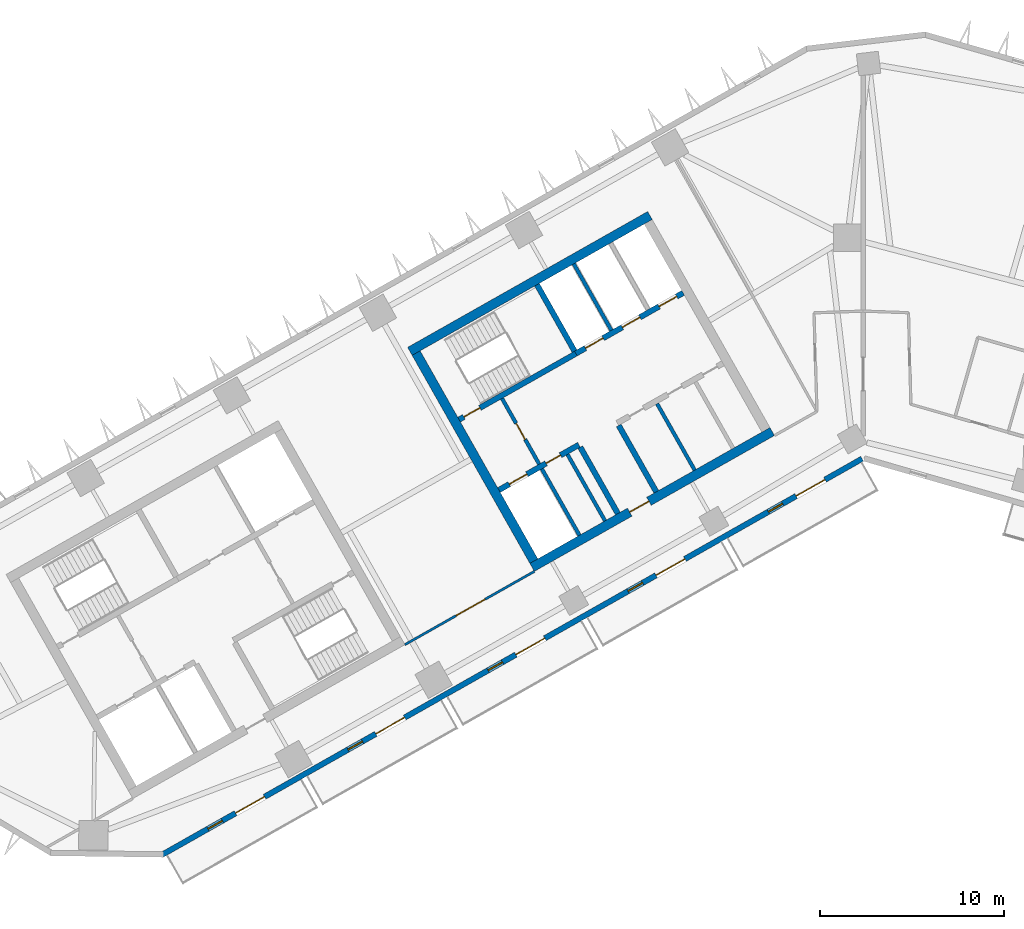
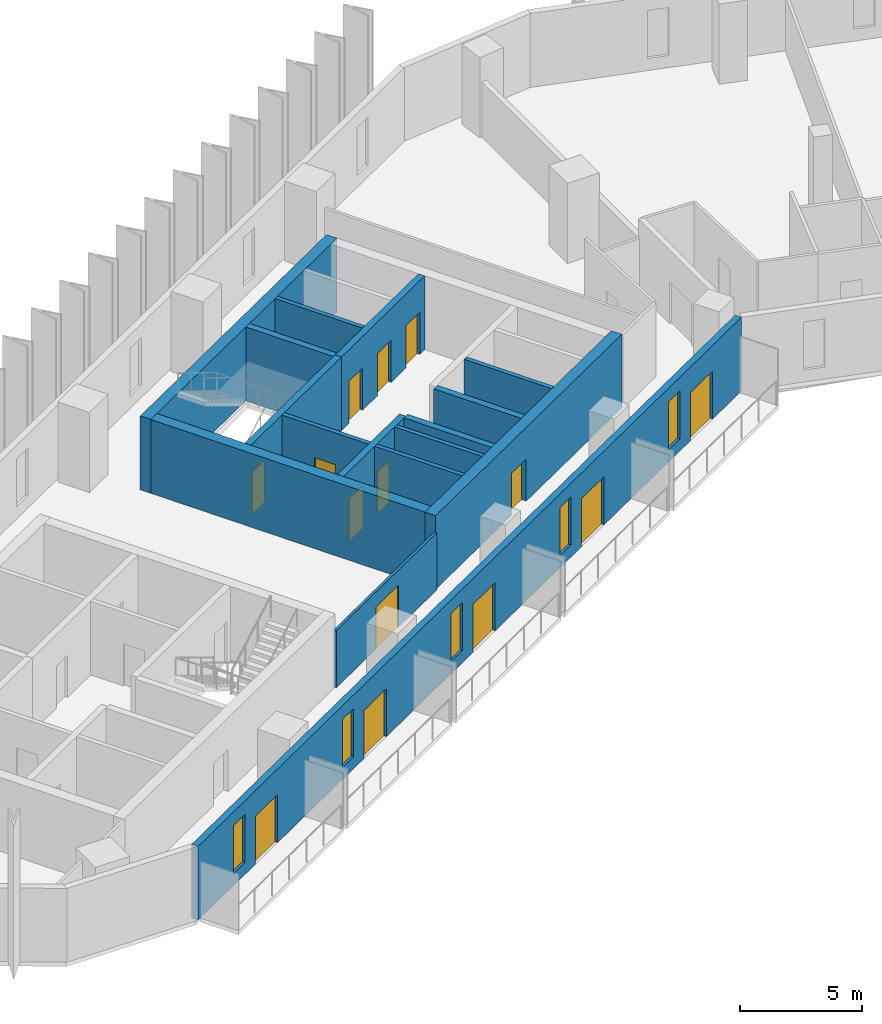
# One storey, part 4 of 10: 16 walls, 14 doors, 5 windows, 19 openings.
"""IFC4 building model written with IfcOpenShell, lengths in metres."""

from ifc_helpers import new_model, si_unit, direction, frame, frame_2d, origin, place, context, subcontext, project, spatial, rectangle, extrude, material, layer, layer_set, type_object, element, fill, save


model = new_model("IFC4")

# Units and contexts
model_context = context("Model", 3, precision=1e-05, world=origin(), true_north=direction((0.0, 1.0)))
body_context = subcontext(model_context, "Body", "Model", "MODEL_VIEW")
ifc_project = project(units=[si_unit("LENGTHUNIT", "METRE"), si_unit("AREAUNIT", "SQUARE_METRE"), si_unit("VOLUMEUNIT", "CUBIC_METRE"), si_unit("PLANEANGLEUNIT", "RADIAN"), si_unit("MASSUNIT", "GRAM", prefix="KILO")], contexts=[model_context])

# Site, building, storey
site_placement = place(None, origin())
site = spatial("IfcSite", under=ifc_project, at=site_placement, CompositionType="ELEMENT")
building_placement = place(site_placement, origin())
building = spatial("IfcBuilding", under=site, at=building_placement, Name="Binnacle Exchange Tower", CompositionType="ELEMENT")
storey_placement = place(building_placement, frame((0.0, 0.0, 194.89990234375)))
storey = spatial("IfcBuildingStorey", under=building, at=storey_placement, Name="L42", CompositionType="ELEMENT", Elevation=194.89990234375)

# Wall
ifc_material_1 = material(Name="Gypsum partition fire rated")
ifc_layer_1 = layer(ifc_material_1, 0.199951171875)
ifc_layer_set_1 = layer_set([ifc_layer_1], Name="Core partition 200")
wall_type_1 = type_object("IfcWallType", Name="Core partition 200", PredefinedType="PARTITIONING", material=ifc_layer_set_1)
wall_1_placement = place(storey_placement, frame((-11.201904296875, 50.96240234375, 0.0), z_axis=(0.0, 0.0, 1.0), x_axis=(0.492441017253, -0.870345818929, 0.0)))
element("IfcWall", 1, at=wall_1_placement, inside=storey, type_object=wall_type_1, Name="Core wall CRWC19", PredefinedType="PARTITIONING", context=body_context, shape_type="SweptSolid", body=[
    extrude(rectangle(XDim=4.150146484375, YDim=0.199951171875, at=frame_2d((2.0751953125, 0.0))), origin(), (0.0, 0.0, 1.0), 3.68017578125),
])

# Wall, openings, doors
ifc_material_2 = material(Name="Concrete C70/85", Category="concrete")
ifc_layer_2 = layer(ifc_material_2, 0.300048828125)
ifc_layer_set_2 = layer_set([ifc_layer_2], Name="Core wall - front 300")
wall_type_2 = type_object("IfcWallType", Name="Core wall - front 300", PredefinedType="SOLIDWALL", material=ifc_layer_set_2)
wall_2_placement = place(storey_placement, frame((-19.80517578125, 46.26708984375, 0.0), z_axis=(0.0, 0.0, 1.0), x_axis=(0.870353598469, 0.492427267353, 0.0)))
wall_2 = element("IfcWall", 2, at=wall_2_placement, inside=storey, type_object=wall_type_2, Name="Core wall CRWC2", PredefinedType="SOLIDWALL", context=body_context, shape_type="SweptSolid", body=[
    extrude(rectangle(XDim=5.0, YDim=0.300048828125, at=frame_2d((2.5, 0.0))), origin(), (0.0, 0.0, 1.0), 3.68017578125),
])
opening_1_placement = place(wall_2_placement, frame((0.64990234375, 0.0, 0.0)))
opening_1 = element("IfcOpeningElement", 3, at=opening_1_placement, cuts=wall_2, Name="Opening LD14", PredefinedType="OPENING", context=body_context, shape_type="SweptSolid", body=[
    extrude(rectangle(XDim=1.10009765625, YDim=2.10009765625, at=frame_2d((0.550048828125, 1.050048828125))), frame((0.0, 0.159912109375, 0.0), z_axis=(0.0, -1.0, 0.0), x_axis=(1.0, 0.0, 0.0)), (0.0, 0.0, 1.0), 0.320068359375),
])
opening_2_placement = place(wall_2_placement, frame((2.949951171875, 0.0, 0.0)))
opening_2 = element("IfcOpeningElement", 4, at=opening_2_placement, cuts=wall_2, Name="Opening DC14", PredefinedType="OPENING", context=body_context, shape_type="SweptSolid", body=[
    extrude(rectangle(XDim=0.89990234375, YDim=2.10009765625, at=frame_2d((0.449951171875, 1.050048828125))), frame((0.0, 0.159912109375, 0.0), z_axis=(0.0, -1.0, 0.0), x_axis=(1.0, 0.0, 0.0)), (0.0, 0.0, 1.0), 0.320068359375),
])
ifc_material_3 = material(Name="Steel door leaf", Category="steel")
door_type_1 = type_object("IfcDoorType", Name="Fire door - lift landing 1100", OperationType="NOTDEFINED", PredefinedType="DOOR", material=ifc_material_3)
door_1_placement = place(opening_1_placement, origin())
door_1 = element("IfcDoor", 5, at=door_1_placement, inside=storey, type_object=door_type_1, Name="Landing door LD14 L42", OperationType="DOUBLE_DOOR_SLIDING", OverallHeight=2.10009765625, OverallWidth=1.10009765625, PredefinedType="DOOR", context=body_context, shape_type="SweptSolid", body=[
    extrude(rectangle(XDim=1.10009765625, YDim=2.10009765625, at=frame_2d((0.550048828125, 1.050048828125))), frame((0.0, 0.02490234375, 0.0), z_axis=(0.0, -1.0, 0.0), x_axis=(1.0, 0.0, 0.0)), (0.0, 0.0, 1.0), 0.050048828125),
])
fill(opening_1, door_1)
door_type_2 = type_object("IfcDoorType", Name="Fire door 900", OperationType="NOTDEFINED", PredefinedType="DOOR", material=ifc_material_3)
door_2_placement = place(opening_2_placement, frame((0.89990234375, 0.0, 0.0), z_axis=(0.0, 0.0, 1.0), x_axis=(-1.0, 0.0, 0.0)))
door_2 = element("IfcDoor", 6, at=door_2_placement, inside=storey, type_object=door_type_2, Name="Core room door UPS CUPBOARD", OperationType="SINGLE_SWING_LEFT", OverallHeight=2.10009765625, OverallWidth=0.89990234375, PredefinedType="DOOR", context=body_context, shape_type="SweptSolid", body=[
    extrude(rectangle(XDim=0.89990234375, YDim=2.10009765625, at=frame_2d((0.449951171875, 1.050048828125))), frame((0.0, 0.02490234375, 0.0), z_axis=(0.0, -1.0, 0.0), x_axis=(1.0, 0.0, 0.0)), (0.0, 0.0, 1.0), 0.050048828125),
])
fill(opening_2, door_2)

wall_3_placement = place(storey_placement, frame((-15.6181640625, 53.69140625, 0.0), z_axis=(0.0, 0.0, 1.0), x_axis=(0.870363236066, 0.492410232738, 0.0)))
wall_3 = element("IfcWall", 7, at=wall_3_placement, inside=storey, type_object=wall_type_2, Name="Core wall CRWC5", PredefinedType="SOLIDWALL", context=body_context, shape_type="SweptSolid", body=[
    extrude(rectangle(XDim=6.699951171875, YDim=0.300048828125, at=frame_2d((3.35009765625, 0.0))), origin(), (0.0, 0.0, 1.0), 3.68017578125),
])
opening_3_placement = place(wall_3_placement, frame((0.60009765625, 0.0, 0.0)))
opening_3 = element("IfcOpeningElement", 8, at=opening_3_placement, cuts=wall_3, Name="Opening LD5", PredefinedType="OPENING", context=body_context, shape_type="SweptSolid", body=[
    extrude(rectangle(XDim=1.10009765625, YDim=2.10009765625, at=frame_2d((0.550048828125, 1.050048828125))), frame((0.0, 0.159912109375, 0.0), z_axis=(0.0, -1.0, 0.0), x_axis=(1.0, 0.0, 0.0)), (0.0, 0.0, 1.0), 0.320068359375),
])
opening_4_placement = place(wall_3_placement, frame((2.89990234375, 0.0, 0.0)))
opening_4 = element("IfcOpeningElement", 9, at=opening_4_placement, cuts=wall_3, Name="Opening LD6", PredefinedType="OPENING", context=body_context, shape_type="SweptSolid", body=[
    extrude(rectangle(XDim=1.10009765625, YDim=2.10009765625, at=frame_2d((0.550048828125, 1.050048828125))), frame((0.0, 0.159912109375, 0.0), z_axis=(0.0, -1.0, 0.0), x_axis=(1.0, 0.0, 0.0)), (0.0, 0.0, 1.0), 0.320068359375),
])
opening_5_placement = place(wall_3_placement, frame((5.199951171875, 0.0, 0.0)))
opening_5 = element("IfcOpeningElement", 10, at=opening_5_placement, cuts=wall_3, Name="Opening LD7", PredefinedType="OPENING", context=body_context, shape_type="SweptSolid", body=[
    extrude(rectangle(XDim=1.10009765625, YDim=2.10009765625, at=frame_2d((0.550048828125, 1.050048828125))), frame((0.0, 0.159912109375, 0.0), z_axis=(0.0, -1.0, 0.0), x_axis=(1.0, 0.0, 0.0)), (0.0, 0.0, 1.0), 0.320068359375),
])
door_3_placement = place(opening_3_placement, origin())
door_3 = element("IfcDoor", 11, at=door_3_placement, inside=storey, type_object=door_type_1, Name="Landing door LD5 L42", OperationType="DOUBLE_DOOR_SLIDING", OverallHeight=2.10009765625, OverallWidth=1.10009765625, PredefinedType="DOOR", context=body_context, shape_type="SweptSolid", body=[
    extrude(rectangle(XDim=1.10009765625, YDim=2.10009765625, at=frame_2d((0.550048828125, 1.050048828125))), frame((0.0, 0.02490234375, 0.0), z_axis=(0.0, -1.0, 0.0), x_axis=(1.0, 0.0, 0.0)), (0.0, 0.0, 1.0), 0.050048828125),
])
fill(opening_3, door_3)
door_4_placement = place(opening_4_placement, origin())
door_4 = element("IfcDoor", 12, at=door_4_placement, inside=storey, type_object=door_type_1, Name="Landing door LD6 L42", OperationType="DOUBLE_DOOR_SLIDING", OverallHeight=2.10009765625, OverallWidth=1.10009765625, PredefinedType="DOOR", context=body_context, shape_type="SweptSolid", body=[
    extrude(rectangle(XDim=1.10009765625, YDim=2.10009765625, at=frame_2d((0.550048828125, 1.050048828125))), frame((0.0, 0.02490234375, 0.0), z_axis=(0.0, -1.0, 0.0), x_axis=(1.0, 0.0, 0.0)), (0.0, 0.0, 1.0), 0.050048828125),
])
fill(opening_4, door_4)
door_5_placement = place(opening_5_placement, origin())
door_5 = element("IfcDoor", 13, at=door_5_placement, inside=storey, type_object=door_type_1, Name="Landing door LD7 L42", OperationType="DOUBLE_DOOR_SLIDING", OverallHeight=2.10009765625, OverallWidth=1.10009765625, PredefinedType="DOOR", context=body_context, shape_type="SweptSolid", body=[
    extrude(rectangle(XDim=1.10009765625, YDim=2.10009765625, at=frame_2d((0.550048828125, 1.050048828125))), frame((0.0, 0.02490234375, 0.0), z_axis=(0.0, -1.0, 0.0), x_axis=(1.0, 0.0, 0.0)), (0.0, 0.0, 1.0), 0.050048828125),
])
fill(opening_5, door_5)

# Walls
for number, where, z_axis, x_axis, name in (
    (14, (-15.37939453125, 48.5986328125, 0.0), (0.0, 0.0, 1.0), (0.492396453737, -0.870371031427, 0.0), "Core wall CRWC13"),
    (15, (-13.29052734375, 49.780517578125, 0.0), (0.0, 0.0, 1.0), (0.492396453737, -0.870371031427, 0.0), "Core wall CRWC15"),
):
    element("IfcWall", number, at=place(storey_placement, frame(where, z_axis=z_axis, x_axis=x_axis)), inside=storey, type_object=wall_type_2, Name=name, PredefinedType="SOLIDWALL", context=body_context, shape_type="SweptSolid", body=[
        extrude(rectangle(XDim=4.14990234375, YDim=0.300048828125, at=frame_2d((2.074951171875, 0.0))), origin(), (0.0, 0.0, 1.0), 3.68017578125),
    ])

# Wall, opening, door
ifc_layer_3 = layer(ifc_material_2, 0.5)
ifc_layer_set_3 = layer_set([ifc_layer_3], Name="Core wall - outer 500")
wall_type_3 = type_object("IfcWallType", Name="Core wall - outer 500", PredefinedType="SOLIDWALL", material=ifc_layer_set_3)
wall_4_placement = place(storey_placement, frame((-17.999755859375, 42.060791015625, 0.0), z_axis=(0.0, 0.0, 1.0), x_axis=(0.870356627484, 0.492421913601, 0.0)))
wall_4 = element("IfcWall", 16, at=wall_4_placement, inside=storey, type_object=wall_type_3, Name="Core wall CRWC1", PredefinedType="SOLIDWALL", context=body_context, shape_type="SweptSolid", body=[
    extrude(rectangle(XDim=14.999755859375, YDim=0.5, at=frame_2d((7.5, 0.0))), origin(), (0.0, 0.0, 1.0), 3.68017578125),
])
opening_6_placement = place(wall_4_placement, frame((6.10009765625, 0.0, 0.0)))
opening_6 = element("IfcOpeningElement", 17, at=opening_6_placement, cuts=wall_4, Name="Opening DC7", PredefinedType="OPENING", context=body_context, shape_type="SweptSolid", body=[
    extrude(rectangle(XDim=1.199951171875, YDim=2.10009765625, at=frame_2d((0.60009765625, 1.050048828125))), frame((0.0, 0.260009765625, 0.0), z_axis=(0.0, -1.0, 0.0), x_axis=(1.0, 0.0, 0.0)), (0.0, 0.0, 1.0), 0.52001953125),
])
door_type_3 = type_object("IfcDoorType", Name="Fire door 1200", OperationType="NOTDEFINED", PredefinedType="DOOR", material=ifc_material_3)
door_6_placement = place(opening_6_placement, frame((1.199951171875, 0.0, 0.0), z_axis=(0.0, 0.0, 1.0), x_axis=(-1.0, 0.0, 0.0)))
door_6 = element("IfcDoor", 18, at=door_6_placement, inside=storey, type_object=door_type_3, Name="Lift lobby entrance door core C", OperationType="SINGLE_SWING_RIGHT", OverallHeight=2.10009765625, OverallWidth=1.199951171875, PredefinedType="DOOR", context=body_context, shape_type="SweptSolid", body=[
    extrude(rectangle(XDim=1.199951171875, YDim=2.10009765625, at=frame_2d((0.60009765625, 1.050048828125))), frame((0.0, 0.02490234375, 0.0), z_axis=(0.0, -1.0, 0.0), x_axis=(1.0, 0.0, 0.0)), (0.0, 0.0, 1.0), 0.050048828125),
])
fill(opening_6, door_6)

# Walls
wall_5_placement = place(storey_placement, frame((-24.6474609375, 53.810546875, 0.0), z_axis=(0.0, 0.0, 1.0), x_axis=(0.87034965173, 0.492434243055, 0.0)))
element("IfcWall", 19, at=wall_5_placement, inside=storey, type_object=wall_type_3, Name="Core wall CRWC6", PredefinedType="SOLIDWALL", context=body_context, shape_type="SweptSolid", body=[
    extrude(rectangle(XDim=15.0, YDim=0.5, at=frame_2d((7.5, 0.0))), origin(), (0.0, 0.0, 1.0), 3.68017578125),
])
wall_6_placement = place(storey_placement, frame((-24.306884765625, 53.716064453125, 0.0), z_axis=(0.0, 0.0, 1.0), x_axis=(0.492427267353, -0.870353598469, 0.0)))
element("IfcWall", 20, at=wall_6_placement, inside=storey, type_object=wall_type_3, Name="Core wall CRWC7", PredefinedType="SOLIDWALL", context=body_context, shape_type="SweptSolid", body=[
    extrude(rectangle(XDim=13.0, YDim=0.5, at=frame_2d((6.5, 0.0))), origin(), (0.0, 0.0, 1.0), 3.68017578125),
])

# Wall, opening, door
ifc_layer_4 = layer(ifc_material_2, 0.300048828125)
ifc_layer_set_4 = layer_set([ifc_layer_4], Name="Core wall - stair 300")
wall_type_4 = type_object("IfcWallType", Name="Core wall - stair 300", PredefinedType="SOLIDWALL", material=ifc_layer_set_4)
wall_7_placement = place(storey_placement, frame((-21.9716796875, 50.0966796875, 0.0), z_axis=(0.0, 0.0, 1.0), x_axis=(0.870350976978, 0.492431900747, 0.0)))
wall_7 = element("IfcWall", 21, at=wall_7_placement, inside=storey, type_object=wall_type_4, Name="Core wall CRWC4", PredefinedType="SOLIDWALL", context=body_context, shape_type="SweptSolid", body=[
    extrude(rectangle(XDim=7.300048828125, YDim=0.300048828125, at=frame_2d((3.64990234375, 0.0))), origin(), (0.0, 0.0, 1.0), 3.68017578125),
])
opening_7_placement = place(wall_7_placement, frame((0.300048828125, 0.0, 0.0)))
opening_7 = element("IfcOpeningElement", 22, at=opening_7_placement, cuts=wall_7, Name="Opening DC1", PredefinedType="OPENING", context=body_context, shape_type="SweptSolid", body=[
    extrude(rectangle(XDim=1.0, YDim=2.10009765625, at=frame_2d((0.5, 1.050048828125))), frame((0.0, 0.159912109375, 0.0), z_axis=(0.0, -1.0, 0.0), x_axis=(1.0, 0.0, 0.0)), (0.0, 0.0, 1.0), 0.320068359375),
])
door_type_4 = type_object("IfcDoorType", Name="Fire door 1000", OperationType="NOTDEFINED", PredefinedType="DOOR", material=ifc_material_3)
door_7_placement = place(opening_7_placement, origin())
door_7 = element("IfcDoor", 23, at=door_7_placement, inside=storey, type_object=door_type_4, Name="Stair door ST-C1", OperationType="SINGLE_SWING_LEFT", OverallHeight=2.10009765625, OverallWidth=1.0, PredefinedType="DOOR", context=body_context, shape_type="SweptSolid", body=[
    extrude(rectangle(XDim=1.0, YDim=2.10009765625, at=frame_2d((0.5, 1.050048828125))), frame((0.0, 0.02490234375, 0.0), z_axis=(0.0, -1.0, 0.0), x_axis=(1.0, 0.0, 0.0)), (0.0, 0.0, 1.0), 0.050048828125),
])
fill(opening_7, door_7)

# Wall
wall_8_placement = place(storey_placement, frame((-17.735595703125, 57.433837890625, 0.0), z_axis=(0.0, 0.0, 1.0), x_axis=(0.492421666909, -0.870356767055, 0.0)))
element("IfcWall", 24, at=wall_8_placement, inside=storey, type_object=wall_type_4, Name="Core wall CRWC14", PredefinedType="SOLIDWALL", context=body_context, shape_type="SweptSolid", body=[
    extrude(rectangle(XDim=4.14990234375, YDim=0.300048828125, at=frame_2d((2.074951171875, 0.0))), origin(), (0.0, 0.0, 1.0), 3.68017578125),
])

# Wall, openings, doors, windows
ifc_material_4 = material(Name="Bronze aluminium cladding", Category="aluminium")
ifc_layer_5 = layer(ifc_material_4, 0.300048828125)
ifc_layer_set_5 = layer_set([ifc_layer_5], Name="External wall - spandrel 300")
wall_type_5 = type_object("IfcWallType", Name="External wall - spandrel 300", PredefinedType="STANDARD", material=ifc_layer_set_5)
wall_9_placement = place(storey_placement, frame((-0.0546875, 47.968994140625, 0.0), z_axis=(0.0, 0.0, 1.0), x_axis=(-0.870355730478, -0.492423499058, 0.0)))
wall_9 = element("IfcWall", 25, at=wall_9_placement, inside=storey, type_object=wall_type_5, Name="External wall EW-G01 L42", PredefinedType="STANDARD", context=body_context, shape_type="SweptSolid", body=[
    extrude(rectangle(XDim=43.750244140625, YDim=0.300048828125, at=frame_2d((21.875, 0.0))), origin(), (0.0, 0.0, 1.0), 3.68017578125),
])
opening_8_placement = place(wall_9_placement, frame((39.976806640625, 0.0, 0.60009765625)))
opening_8 = element("IfcOpeningElement", 26, at=opening_8_placement, cuts=wall_9, Name="Opening WS3", PredefinedType="OPENING", context=body_context, shape_type="SweptSolid", body=[
    extrude(rectangle(XDim=0.89990234375, YDim=2.39990234375, at=frame_2d((0.449951171875, 1.199951171875))), frame((0.0, 0.159912109375, 0.0), z_axis=(0.0, -1.0, 0.0), x_axis=(1.0, 0.0, 0.0)), (0.0, 0.0, 1.0), 0.320068359375),
])
opening_9_placement = place(wall_9_placement, frame((37.338134765625, 0.0, 0.0)))
opening_9 = element("IfcOpeningElement", 27, at=opening_9_placement, cuts=wall_9, Name="Opening D-FS11-01", PredefinedType="OPENING", context=body_context, shape_type="SweptSolid", body=[
    extrude(rectangle(XDim=1.800048828125, YDim=2.39990234375, at=frame_2d((0.89990234375, 1.199951171875))), frame((0.0, 0.159912109375, 0.0), z_axis=(0.0, -1.0, 0.0), x_axis=(1.0, 0.0, 0.0)), (0.0, 0.0, 1.0), 0.320068359375),
])
opening_10_placement = place(wall_9_placement, frame((31.222412109375, 0.0, 0.60009765625)))
opening_10 = element("IfcOpeningElement", 28, at=opening_10_placement, cuts=wall_9, Name="Opening WS3", PredefinedType="OPENING", context=body_context, shape_type="SweptSolid", body=[
    extrude(rectangle(XDim=0.89990234375, YDim=2.39990234375, at=frame_2d((0.449951171875, 1.199951171875))), frame((0.0, 0.159912109375, 0.0), z_axis=(0.0, -1.0, 0.0), x_axis=(1.0, 0.0, 0.0)), (0.0, 0.0, 1.0), 0.320068359375),
])
opening_11_placement = place(wall_9_placement, frame((28.583740234375, 0.0, 0.0)))
opening_11 = element("IfcOpeningElement", 29, at=opening_11_placement, cuts=wall_9, Name="Opening D-FS11-02", PredefinedType="OPENING", context=body_context, shape_type="SweptSolid", body=[
    extrude(rectangle(XDim=1.800048828125, YDim=2.39990234375, at=frame_2d((0.89990234375, 1.199951171875))), frame((0.0, 0.159912109375, 0.0), z_axis=(0.0, -1.0, 0.0), x_axis=(1.0, 0.0, 0.0)), (0.0, 0.0, 1.0), 0.320068359375),
])
opening_12_placement = place(wall_9_placement, frame((22.4677734375, 0.0, 0.60009765625)))
opening_12 = element("IfcOpeningElement", 30, at=opening_12_placement, cuts=wall_9, Name="Opening WS3", PredefinedType="OPENING", context=body_context, shape_type="SweptSolid", body=[
    extrude(rectangle(XDim=0.89990234375, YDim=2.39990234375, at=frame_2d((0.449951171875, 1.199951171875))), frame((0.0, 0.159912109375, 0.0), z_axis=(0.0, -1.0, 0.0), x_axis=(1.0, 0.0, 0.0)), (0.0, 0.0, 1.0), 0.320068359375),
])
opening_13_placement = place(wall_9_placement, frame((19.8291015625, 0.0, 0.0)))
opening_13 = element("IfcOpeningElement", 31, at=opening_13_placement, cuts=wall_9, Name="Opening D-FS11-03", PredefinedType="OPENING", context=body_context, shape_type="SweptSolid", body=[
    extrude(rectangle(XDim=1.800048828125, YDim=2.39990234375, at=frame_2d((0.89990234375, 1.199951171875))), frame((0.0, 0.159912109375, 0.0), z_axis=(0.0, -1.0, 0.0), x_axis=(1.0, 0.0, 0.0)), (0.0, 0.0, 1.0), 0.320068359375),
])
opening_14_placement = place(wall_9_placement, frame((13.713134765625, 0.0, 0.60009765625)))
opening_14 = element("IfcOpeningElement", 32, at=opening_14_placement, cuts=wall_9, Name="Opening WS3", PredefinedType="OPENING", context=body_context, shape_type="SweptSolid", body=[
    extrude(rectangle(XDim=0.89990234375, YDim=2.39990234375, at=frame_2d((0.449951171875, 1.199951171875))), frame((0.0, 0.159912109375, 0.0), z_axis=(0.0, -1.0, 0.0), x_axis=(1.0, 0.0, 0.0)), (0.0, 0.0, 1.0), 0.320068359375),
])
opening_15_placement = place(wall_9_placement, frame((11.07470703125, 0.0, 0.0)))
opening_15 = element("IfcOpeningElement", 33, at=opening_15_placement, cuts=wall_9, Name="Opening D-FS11-04", PredefinedType="OPENING", context=body_context, shape_type="SweptSolid", body=[
    extrude(rectangle(XDim=1.800048828125, YDim=2.39990234375, at=frame_2d((0.89990234375, 1.199951171875))), frame((0.0, 0.159912109375, 0.0), z_axis=(0.0, -1.0, 0.0), x_axis=(1.0, 0.0, 0.0)), (0.0, 0.0, 1.0), 0.320068359375),
])
opening_16_placement = place(wall_9_placement, frame((4.958740234375, 0.0, 0.60009765625)))
opening_16 = element("IfcOpeningElement", 34, at=opening_16_placement, cuts=wall_9, Name="Opening WS3", PredefinedType="OPENING", context=body_context, shape_type="SweptSolid", body=[
    extrude(rectangle(XDim=0.89990234375, YDim=2.39990234375, at=frame_2d((0.449951171875, 1.199951171875))), frame((0.0, 0.159912109375, 0.0), z_axis=(0.0, -1.0, 0.0), x_axis=(1.0, 0.0, 0.0)), (0.0, 0.0, 1.0), 0.320068359375),
])
opening_17_placement = place(wall_9_placement, frame((2.320068359375, 0.0, 0.0)))
opening_17 = element("IfcOpeningElement", 35, at=opening_17_placement, cuts=wall_9, Name="Opening D-FS11-05", PredefinedType="OPENING", context=body_context, shape_type="SweptSolid", body=[
    extrude(rectangle(XDim=1.800048828125, YDim=2.39990234375, at=frame_2d((0.89990234375, 1.199951171875))), frame((0.0, 0.159912109375, 0.0), z_axis=(0.0, -1.0, 0.0), x_axis=(1.0, 0.0, 0.0)), (0.0, 0.0, 1.0), 0.320068359375),
])
ifc_material_5 = material(Name="Bronze anodised aluminium frame", Category="aluminium")
door_type_5 = type_object("IfcDoorType", Name="DB DOOR 1800x2400", OperationType="DOUBLE_DOOR_SINGLE_SWING", PredefinedType="DOOR", material=ifc_material_5)
door_8_placement = place(opening_9_placement, origin())
door_8 = element("IfcDoor", 36, at=door_8_placement, inside=storey, type_object=door_type_5, Name="Door D-FS11-01 L42", OperationType="DOUBLE_DOOR_SINGLE_SWING", OverallHeight=2.39990234375, OverallWidth=1.800048828125, PredefinedType="DOOR", context=body_context, shape_type="SweptSolid", body=[
    extrude(rectangle(XDim=1.800048828125, YDim=2.39990234375, at=frame_2d((0.89990234375, 1.199951171875))), frame((0.0, 0.02490234375, 0.0), z_axis=(0.0, -1.0, 0.0), x_axis=(1.0, 0.0, 0.0)), (0.0, 0.0, 1.0), 0.050048828125),
])
fill(opening_9, door_8)
door_9_placement = place(opening_11_placement, origin())
door_9 = element("IfcDoor", 37, at=door_9_placement, inside=storey, type_object=door_type_5, Name="Door D-FS11-02 L42", OperationType="DOUBLE_DOOR_SINGLE_SWING", OverallHeight=2.39990234375, OverallWidth=1.800048828125, PredefinedType="DOOR", context=body_context, shape_type="SweptSolid", body=[
    extrude(rectangle(XDim=1.800048828125, YDim=2.39990234375, at=frame_2d((0.89990234375, 1.199951171875))), frame((0.0, 0.02490234375, 0.0), z_axis=(0.0, -1.0, 0.0), x_axis=(1.0, 0.0, 0.0)), (0.0, 0.0, 1.0), 0.050048828125),
])
fill(opening_11, door_9)
door_10_placement = place(opening_13_placement, origin())
door_10 = element("IfcDoor", 38, at=door_10_placement, inside=storey, type_object=door_type_5, Name="Door D-FS11-03 L42", OperationType="DOUBLE_DOOR_SINGLE_SWING", OverallHeight=2.39990234375, OverallWidth=1.800048828125, PredefinedType="DOOR", context=body_context, shape_type="SweptSolid", body=[
    extrude(rectangle(XDim=1.800048828125, YDim=2.39990234375, at=frame_2d((0.89990234375, 1.199951171875))), frame((0.0, 0.02490234375, 0.0), z_axis=(0.0, -1.0, 0.0), x_axis=(1.0, 0.0, 0.0)), (0.0, 0.0, 1.0), 0.050048828125),
])
fill(opening_13, door_10)
door_11_placement = place(opening_15_placement, origin())
door_11 = element("IfcDoor", 39, at=door_11_placement, inside=storey, type_object=door_type_5, Name="Door D-FS11-04 L42", OperationType="DOUBLE_DOOR_SINGLE_SWING", OverallHeight=2.39990234375, OverallWidth=1.800048828125, PredefinedType="DOOR", context=body_context, shape_type="SweptSolid", body=[
    extrude(rectangle(XDim=1.800048828125, YDim=2.39990234375, at=frame_2d((0.89990234375, 1.199951171875))), frame((0.0, 0.02490234375, 0.0), z_axis=(0.0, -1.0, 0.0), x_axis=(1.0, 0.0, 0.0)), (0.0, 0.0, 1.0), 0.050048828125),
])
fill(opening_15, door_11)
door_12_placement = place(opening_17_placement, origin())
door_12 = element("IfcDoor", 40, at=door_12_placement, inside=storey, type_object=door_type_5, Name="Door D-FS11-05 L42", OperationType="DOUBLE_DOOR_SINGLE_SWING", OverallHeight=2.39990234375, OverallWidth=1.800048828125, PredefinedType="DOOR", context=body_context, shape_type="SweptSolid", body=[
    extrude(rectangle(XDim=1.800048828125, YDim=2.39990234375, at=frame_2d((0.89990234375, 1.199951171875))), frame((0.0, 0.02490234375, 0.0), z_axis=(0.0, -1.0, 0.0), x_axis=(1.0, 0.0, 0.0)), (0.0, 0.0, 1.0), 0.050048828125),
])
fill(opening_17, door_12)
window_type = type_object("IfcWindowType", Name="WS3 WINDOW 900x2400", PartitioningType="SINGLE_PANEL", PredefinedType="WINDOW", material=ifc_material_5)
window_1_placement = place(opening_8_placement, origin())
window_1 = element("IfcWindow", 41, at=window_1_placement, inside=storey, type_object=window_type, Name="Window WS3 L42", OverallHeight=2.39990234375, OverallWidth=0.89990234375, PartitioningType="SINGLE_PANEL", PredefinedType="WINDOW", context=body_context, shape_type="SweptSolid", body=[
    extrude(rectangle(XDim=0.89990234375, YDim=2.39990234375, at=frame_2d((0.449951171875, 1.199951171875))), frame((0.0, 0.030029296875, 0.0), z_axis=(0.0, -1.0, 0.0), x_axis=(1.0, 0.0, 0.0)), (0.0, 0.0, 1.0), 0.06005859375),
])
fill(opening_8, window_1)
window_2_placement = place(opening_10_placement, origin())
window_2 = element("IfcWindow", 42, at=window_2_placement, inside=storey, type_object=window_type, Name="Window WS3 L42", OverallHeight=2.39990234375, OverallWidth=0.89990234375, PartitioningType="SINGLE_PANEL", PredefinedType="WINDOW", context=body_context, shape_type="SweptSolid", body=[
    extrude(rectangle(XDim=0.89990234375, YDim=2.39990234375, at=frame_2d((0.449951171875, 1.199951171875))), frame((0.0, 0.030029296875, 0.0), z_axis=(0.0, -1.0, 0.0), x_axis=(1.0, 0.0, 0.0)), (0.0, 0.0, 1.0), 0.06005859375),
])
fill(opening_10, window_2)
window_3_placement = place(opening_12_placement, origin())
window_3 = element("IfcWindow", 43, at=window_3_placement, inside=storey, type_object=window_type, Name="Window WS3 L42", OverallHeight=2.39990234375, OverallWidth=0.89990234375, PartitioningType="SINGLE_PANEL", PredefinedType="WINDOW", context=body_context, shape_type="SweptSolid", body=[
    extrude(rectangle(XDim=0.89990234375, YDim=2.39990234375, at=frame_2d((0.449951171875, 1.199951171875))), frame((0.0, 0.030029296875, 0.0), z_axis=(0.0, -1.0, 0.0), x_axis=(1.0, 0.0, 0.0)), (0.0, 0.0, 1.0), 0.06005859375),
])
fill(opening_12, window_3)
window_4_placement = place(opening_14_placement, origin())
window_4 = element("IfcWindow", 44, at=window_4_placement, inside=storey, type_object=window_type, Name="Window WS3 L42", OverallHeight=2.39990234375, OverallWidth=0.89990234375, PartitioningType="SINGLE_PANEL", PredefinedType="WINDOW", context=body_context, shape_type="SweptSolid", body=[
    extrude(rectangle(XDim=0.89990234375, YDim=2.39990234375, at=frame_2d((0.449951171875, 1.199951171875))), frame((0.0, 0.030029296875, 0.0), z_axis=(0.0, -1.0, 0.0), x_axis=(1.0, 0.0, 0.0)), (0.0, 0.0, 1.0), 0.06005859375),
])
fill(opening_14, window_4)
window_5_placement = place(opening_16_placement, origin())
window_5 = element("IfcWindow", 45, at=window_5_placement, inside=storey, type_object=window_type, Name="Window WS3 L42", OverallHeight=2.39990234375, OverallWidth=0.89990234375, PartitioningType="SINGLE_PANEL", PredefinedType="WINDOW", context=body_context, shape_type="SweptSolid", body=[
    extrude(rectangle(XDim=0.89990234375, YDim=2.39990234375, at=frame_2d((0.449951171875, 1.199951171875))), frame((0.0, 0.030029296875, 0.0), z_axis=(0.0, -1.0, 0.0), x_axis=(1.0, 0.0, 0.0)), (0.0, 0.0, 1.0), 0.06005859375),
])
fill(opening_16, window_5)

# Wall, opening, door
ifc_material_6 = material(Name="Masonry block wall", Category="masonry")
ifc_layer_6 = layer(ifc_material_6, 0.199951171875)
ifc_layer_set_6 = layer_set([ifc_layer_6], Name="Fire wall - vestibule 200")
wall_type_6 = type_object("IfcWallType", Name="Fire wall - vestibule 200", PredefinedType="PARTITIONING", material=ifc_layer_set_6)
wall_10_placement = place(storey_placement, frame((-19.635009765625, 51.246337890625, 0.0), z_axis=(0.0, 0.0, 1.0), x_axis=(0.492408451753, -0.87036424366, 0.0)))
wall_10 = element("IfcWall", 46, at=wall_10_placement, inside=storey, type_object=wall_type_6, Name="Core wall CRWC10", PredefinedType="PARTITIONING", context=body_context, shape_type="SweptSolid", body=[
    extrude(rectangle(XDim=4.099853515625, YDim=0.199951171875, at=frame_2d((2.0498046875, 0.0))), origin(), (0.0, 0.0, 1.0), 3.68017578125),
])
opening_18_placement = place(wall_10_placement, frame((1.550048828125, 0.0, 0.0)))
opening_18 = element("IfcOpeningElement", 47, at=opening_18_placement, cuts=wall_10, Name="Opening DC3", PredefinedType="OPENING", context=body_context, shape_type="SweptSolid", body=[
    extrude(rectangle(XDim=1.0, YDim=2.10009765625, at=frame_2d((0.5, 1.050048828125))), frame((0.0, 0.10986328125, 0.0), z_axis=(0.0, -1.0, 0.0), x_axis=(1.0, 0.0, 0.0)), (0.0, 0.0, 1.0), 0.219970703125),
])
door_13_placement = place(opening_18_placement, frame((1.0, 0.0, 0.0), z_axis=(0.0, 0.0, 1.0), x_axis=(-1.0, 0.0, 0.0)))
door_13 = element("IfcDoor", 48, at=door_13_placement, inside=storey, type_object=door_type_4, Name="Vestibule door VEST-W", OperationType="SINGLE_SWING_RIGHT", OverallHeight=2.10009765625, OverallWidth=1.0, PredefinedType="DOOR", context=body_context, shape_type="SweptSolid", body=[
    extrude(rectangle(XDim=1.0, YDim=2.10009765625, at=frame_2d((0.5, 1.050048828125))), frame((0.0, 0.02490234375, 0.0), z_axis=(0.0, -1.0, 0.0), x_axis=(1.0, 0.0, 0.0)), (0.0, 0.0, 1.0), 0.050048828125),
])
fill(opening_18, door_13)

ifc_material_7 = material(Name="Gypsum partition")
ifc_layer_7 = layer(ifc_material_7, 0.125)
ifc_layer_set_7 = layer_set([ifc_layer_7], Name="Partition 125")
wall_type_7 = type_object("IfcWallType", Name="Partition 125", PredefinedType="PARTITIONING", material=ifc_layer_set_7)
wall_11_placement = place(storey_placement, frame((-24.9189453125, 37.85888671875, 0.0), z_axis=(0.0, 0.0, 1.0), x_axis=(0.870357635969, 0.492420131098, 0.0)))
wall_11 = element("IfcWall", 49, at=wall_11_placement, inside=storey, type_object=wall_type_7, Name="Partition W03", PredefinedType="PARTITIONING", context=body_context, shape_type="SweptSolid", body=[
    extrude(rectangle(XDim=8.0908203125, YDim=0.125, at=frame_2d((4.04541015625, 0.0))), origin(), (0.0, 0.0, 1.0), 2.85205078125),
])
opening_19_placement = place(wall_11_placement, frame((3.199951171875, 0.0, 0.0)))
opening_19 = element("IfcOpeningElement", 50, at=opening_19_placement, cuts=wall_11, Name="Opening DL41-01", PredefinedType="OPENING", context=body_context, shape_type="SweptSolid", body=[
    extrude(rectangle(XDim=1.800048828125, YDim=2.10009765625, at=frame_2d((0.89990234375, 1.050048828125))), frame((0.0, 0.072509765625, 0.0), z_axis=(0.0, -1.0, 0.0), x_axis=(1.0, 0.0, 0.0)), (0.0, 0.0, 1.0), 0.14501953125),
])
ifc_material_8 = material(Name="Timber door leaf", Category="wood")
door_type_6 = type_object("IfcDoorType", Name="Double door 1800", OperationType="NOTDEFINED", PredefinedType="DOOR", material=ifc_material_8)
door_14_placement = place(opening_19_placement, origin())
door_14 = element("IfcDoor", 51, at=door_14_placement, inside=storey, type_object=door_type_6, Name="Door DL41-01", OperationType="DOUBLE_DOOR_SINGLE_SWING", OverallHeight=2.10009765625, OverallWidth=1.800048828125, PredefinedType="DOOR", context=body_context, shape_type="SweptSolid", body=[
    extrude(rectangle(XDim=1.800048828125, YDim=2.10009765625, at=frame_2d((0.89990234375, 1.050048828125))), frame((0.0, 0.02490234375, 0.0), z_axis=(0.0, -1.0, 0.0), x_axis=(1.0, 0.0, 0.0)), (0.0, 0.0, 1.0), 0.050048828125),
])
fill(opening_19, door_14)

# Walls
ifc_layer_8 = layer(ifc_material_6, 0.199951171875)
ifc_layer_set_8 = layer_set([ifc_layer_8], Name="Riser wall 200")
wall_type_8 = type_object("IfcWallType", Name="Riser wall 200", PredefinedType="SOLIDWALL", material=ifc_layer_set_8)
wall_12_placement = place(storey_placement, frame((-16.07568359375, 48.20458984375, 0.0), z_axis=(0.0, 0.0, 1.0), x_axis=(0.492421666909, -0.870356767055, 0.0)))
element("IfcWall", 52, at=wall_12_placement, inside=storey, type_object=wall_type_8, Name="Core wall CRWC12", PredefinedType="SOLIDWALL", context=body_context, shape_type="SweptSolid", body=[
    extrude(rectangle(XDim=4.14990234375, YDim=0.199951171875, at=frame_2d((2.074951171875, 0.0))), origin(), (0.0, 0.0, 1.0), 3.68017578125),
])
ifc_layer_9 = layer(ifc_material_6, 0.199951171875)
ifc_layer_set_9 = layer_set([ifc_layer_9], Name="Shaft wall 200")
wall_type_9 = type_object("IfcWallType", Name="Shaft wall 200", PredefinedType="SOLIDWALL", material=ifc_layer_set_9)
for number, where, z_axis, x_axis, name in (
    (53, (-17.468505859375, 47.416748046875, 0.0), (0.0, 0.0, 1.0), (0.492441017253, -0.870345818929, 0.0), "Core wall CRWC9"),
    (54, (-15.73388671875, 58.56640625, 0.0), (0.0, 0.0, 1.0), (0.492441017253, -0.870345818929, 0.0), "Core wall CRWC18"),
):
    element("IfcWall", number, at=place(storey_placement, frame(where, z_axis=z_axis, x_axis=x_axis)), inside=storey, type_object=wall_type_9, Name=name, PredefinedType="SOLIDWALL", context=body_context, shape_type="SweptSolid", body=[
        extrude(rectangle(XDim=4.150146484375, YDim=0.199951171875, at=frame_2d((2.0751953125, 0.0))), origin(), (0.0, 0.0, 1.0), 3.68017578125),
    ])

save(model, "model.ifc")
